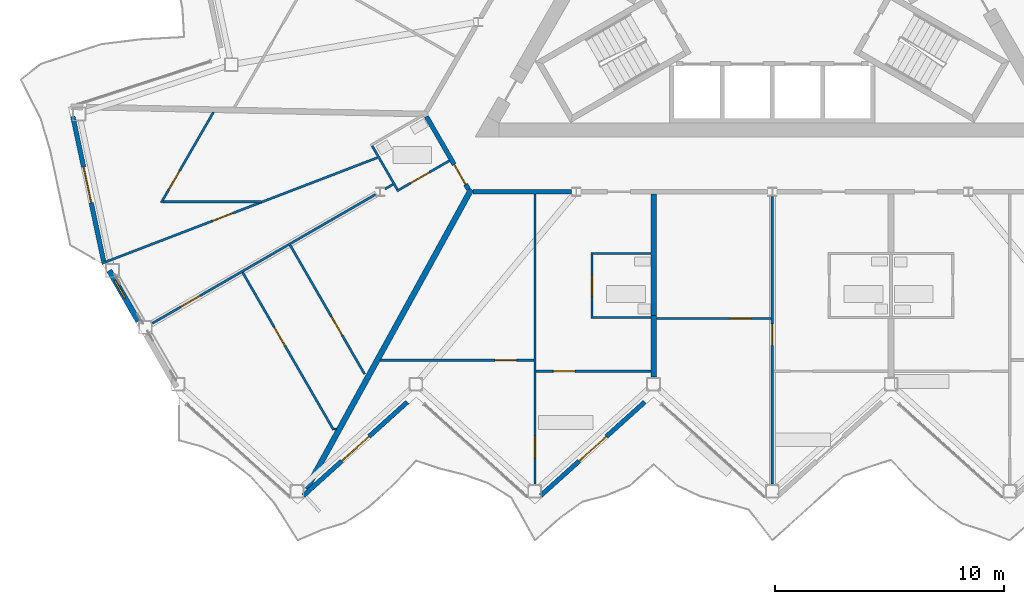
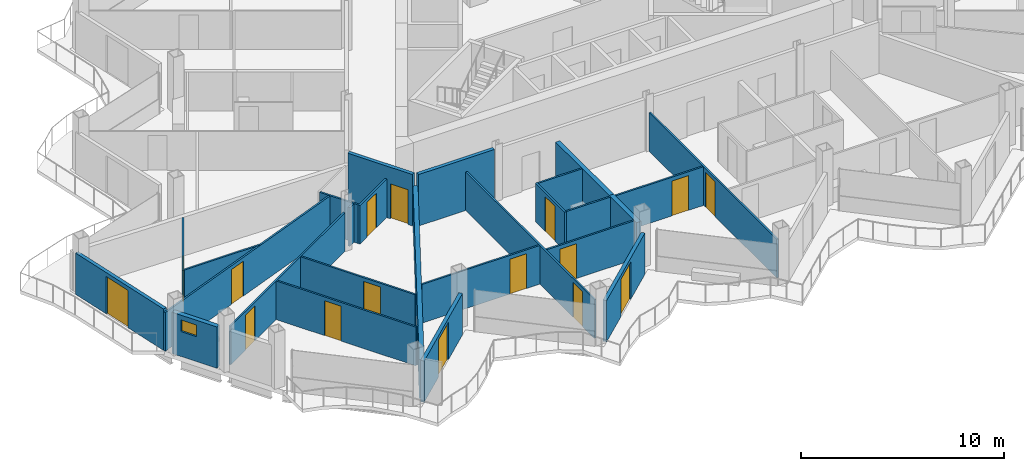
# One storey, part 13 of 27: 27 walls, 16 doors, 1 window, 17 openings.
"""IFC4 building model written with IfcOpenShell, lengths in metres."""

import ifcopenshell
import ifcopenshell.guid

model = None  # the IFC model being written
_history = None  # IfcOwnerHistory: only IFC2X3 demands one
_inside = {}  # id of a spatial element -> (the spatial element, [elements in it])
_under = {}  # id of a project, library or spatial element -> (it, [spatial elements below it])
_declared = {}  # id of a project -> (the project, [libraries it declares])
_typed = {}  # id of a type object -> (the type object, [elements of that type])
_made_of = {}  # id of a material, layer set ... -> (it, [elements and type objects made of it])


def new_model(schema):
    """Start an empty IFC model of exactly this schema.

    Asked for "IFC4X3", IfcOpenShell would pick the latest addendum, in which some entities
    have other attributes; the version numbers below select the first issue.
    IFC2X3 requires an IfcOwnerHistory on every rooted entity: one is made here for all.
    """
    global model, _history
    if schema == "IFC4X3":
        model = ifcopenshell.file(schema_version=(4, 3, 0, 0))
    else:
        model = ifcopenshell.file(schema=schema)
    _inside.clear()
    _under.clear()
    _declared.clear()
    _typed.clear()
    _made_of.clear()
    _history = None
    if model.schema == "IFC2X3":
        org = make("IfcOrganization", Name="unknown")
        user = make(
            "IfcPersonAndOrganization",
            ThePerson=make("IfcPerson", FamilyName="unknown"),
            TheOrganization=org,
        )
        app = make(
            "IfcApplication",
            ApplicationDeveloper=org,
            Version="unknown",
            ApplicationFullName="unknown",
            ApplicationIdentifier="unknown",
        )
        _history = make(
            "IfcOwnerHistory",
            OwningUser=user,
            OwningApplication=app,
            ChangeAction="ADDED",
            CreationDate=0,
        )
    return model


def make(cls, **values):
    """One entity of the class cls with the attributes given. An attribute that is None is left unset."""
    return model.create_entity(
        cls, **{name: value for name, value in values.items() if value is not None}
    )


def rooted(cls, **values):
    """An entity with a GlobalId (a new one), such as an element, a storey or a relation."""
    return make(cls, GlobalId=ifcopenshell.guid.new(), OwnerHistory=_history, **values)


def si_unit(unit_type, name, prefix=None):
    """IfcSIUnit, for example si_unit("LENGTHUNIT", "METRE", prefix="MILLI")."""
    return make("IfcSIUnit", UnitType=unit_type, Prefix=prefix, Name=name)


def assignment(units):
    """IfcUnitAssignment: the units of a project."""
    return None if units is None else make("IfcUnitAssignment", Units=units)


def point(xyz):
    """IfcCartesianPoint."""
    return None if xyz is None else make("IfcCartesianPoint", Coordinates=xyz)


def direction(xyz):
    """IfcDirection."""
    return None if xyz is None else make("IfcDirection", DirectionRatios=xyz)


def frame(location, z_axis=None, x_axis=None):
    """IfcAxis2Placement3D, a coordinate frame: its origin and axes. An axis left out is left unset."""
    return make(
        "IfcAxis2Placement3D",
        Location=point(location),
        Axis=direction(z_axis),
        RefDirection=direction(x_axis),
    )


def frame_2d(location, x_axis=None):
    """IfcAxis2Placement2D, a coordinate frame in the plane: its origin and x axis."""
    return make(
        "IfcAxis2Placement2D", Location=point(location), RefDirection=direction(x_axis)
    )


def origin():
    """The frame at (0, 0, 0) with its axes left unset."""
    return frame((0.0, 0.0, 0.0))


def place(relative_to, where):
    """IfcLocalPlacement: puts the frame where relative to a parent placement (None: the world)."""
    return make(
        "IfcLocalPlacement", PlacementRelTo=relative_to, RelativePlacement=where
    )


def context(
    kind, dimensions, precision=None, world=None, true_north=None, identifier=None
):
    """IfcGeometricRepresentationContext, for example the 3D "Model" context."""
    return make(
        "IfcGeometricRepresentationContext",
        ContextIdentifier=identifier,
        ContextType=kind,
        CoordinateSpaceDimension=dimensions,
        Precision=precision,
        WorldCoordinateSystem=world,
        TrueNorth=true_north,
    )


def subcontext(parent, identifier, kind, view, scale=None):
    """IfcGeometricRepresentationSubContext, for example "Body" below "Model"."""
    return make(
        "IfcGeometricRepresentationSubContext",
        ContextIdentifier=identifier,
        ContextType=kind,
        ParentContext=parent,
        TargetScale=scale,
        TargetView=view,
    )


def project(units=None, contexts=None):
    """IfcProject with its units and contexts."""
    return rooted(
        "IfcProject",
        Name="project",
        RepresentationContexts=contexts,
        UnitsInContext=assignment(units),
    )


def spatial(cls, under=None, at=None, **own):
    """A site, building, storey or space (cls), placed at a placement, below another one or the project."""
    s = rooted(cls, ObjectPlacement=at, **own)
    if under is not None:
        _under.setdefault(under.id(), (under, []))[1].append(s)
    return s


def profile(cls, at=None, kind="AREA", **sizes):
    """A parametric profile (cls). Its sizes go by their IFC names, for example OverallWidth=200.0."""
    return make(cls, ProfileType=kind, Position=at, **sizes)


def rectangle(**sizes):
    """IfcRectangleProfileDef."""
    return profile("IfcRectangleProfileDef", **sizes)


def extrude(swept, where, along, depth):
    """IfcExtrudedAreaSolid: the profile swept, set in the frame where, extruded along a direction by depth."""
    return make(
        "IfcExtrudedAreaSolid",
        SweptArea=swept,
        Position=where,
        ExtrudedDirection=direction(along),
        Depth=depth,
    )


def shape(context_of_items, identifier, shape_type, items):
    """IfcShapeRepresentation: the items that make up one representation, for example the "Body"."""
    return make(
        "IfcShapeRepresentation",
        ContextOfItems=context_of_items,
        RepresentationIdentifier=identifier,
        RepresentationType=shape_type,
        Items=items,
    )


def material(Name=None, Category=None):
    """IfcMaterial."""
    return make("IfcMaterial", Name=Name, Category=Category)


def layer(
    of_material, thickness, ventilated=None, Name=None, Category=None, Priority=None
):
    """IfcMaterialLayer: one layer of a wall or slab, of a material (None: an air gap)."""
    return make(
        "IfcMaterialLayer",
        Material=of_material,
        LayerThickness=thickness,
        IsVentilated=ventilated,
        Name=Name,
        Category=Category,
        Priority=Priority,
    )


def layer_set(layers, Name=None):
    """IfcMaterialLayerSet."""
    return make("IfcMaterialLayerSet", MaterialLayers=layers, LayerSetName=Name)


def made_of(thing, what):
    """Note that an element or type object is made of a material, layer set ...; save() writes the relation."""
    if what is not None:
        _made_of.setdefault(what.id(), (what, []))[1].append(thing)
    return thing


def type_object(cls, material=None, **own):
    """A type object (cls), such as IfcWallType, which elements share."""
    return made_of(rooted(cls, **own), material)


def element(
    cls,
    number,
    at=None,
    inside=None,
    cuts=None,
    type_object=None,
    material=None,
    context=None,
    identifier="Body",
    shape_type=None,
    held_by="IfcProductDefinitionShape",
    body=None,
    shapes=None,
    **own,
):
    """One element of the class cls, such as IfcWall. Its Tag is "e" and its number.

    at: its placement. inside: the storey or other place that contains it. cuts: it is an
    opening in that element (IfcRelVoidsElement). A single representation is given by context,
    identifier, shape_type and body (its items); several are given by shapes. held_by: the class
    of the entity that holds the representations. save() writes the other relations.
    """
    e = rooted(cls, Tag="e%d" % number, ObjectPlacement=at, **own)
    if body is not None:
        shapes = [shape(context, identifier, shape_type, body)]
    if shapes is not None:
        e.Representation = make(held_by, Representations=shapes)
    if inside is not None:
        _inside.setdefault(inside.id(), (inside, []))[1].append(e)
    if cuts is not None:
        rooted(
            "IfcRelVoidsElement", RelatingBuildingElement=cuts, RelatedOpeningElement=e
        )
    if type_object is not None:
        _typed.setdefault(type_object.id(), (type_object, []))[1].append(e)
    return made_of(e, material)


def fill(opening, filler):
    """IfcRelFillsElement: the door or window that sits in an opening."""
    return rooted(
        "IfcRelFillsElement",
        RelatingOpeningElement=opening,
        RelatedBuildingElement=filler,
    )


def aggregate(whole, parts):
    """IfcRelAggregates: a whole, such as a stair, and the parts it consists of."""
    return rooted("IfcRelAggregates", RelatingObject=whole, RelatedObjects=parts)


def save(model, path):
    """Write the relations noted so far, then the file.

    IfcRelAggregates (storeys below a building ...), IfcRelContainedInSpatialStructure (elements
    in a storey), IfcRelDefinesByType, IfcRelAssociatesMaterial and IfcRelDeclares: one each for
    every whole, place, type object, material and project.
    """
    for whole, parts in _under.values():
        aggregate(whole, parts)
    for where, things in _inside.values():
        rooted(
            "IfcRelContainedInSpatialStructure",
            RelatedElements=things,
            RelatingStructure=where,
        )
    for kind, things in _typed.values():
        rooted("IfcRelDefinesByType", RelatedObjects=things, RelatingType=kind)
    for what, things in _made_of.values():
        rooted("IfcRelAssociatesMaterial", RelatedObjects=things, RelatingMaterial=what)
    for by, libraries in _declared.values():
        rooted("IfcRelDeclares", RelatingContext=by, RelatedDefinitions=libraries)
    model.write(path)


model = new_model("IFC4")

# Units and contexts
model_context = context("Model", 3, precision=1e-05, world=origin(), true_north=direction((0.0, 1.0)))
body_context = subcontext(model_context, "Body", "Model", "MODEL_VIEW")
ifc_project = project(units=[si_unit("LENGTHUNIT", "METRE"), si_unit("AREAUNIT", "SQUARE_METRE"), si_unit("VOLUMEUNIT", "CUBIC_METRE"), si_unit("PLANEANGLEUNIT", "RADIAN"), si_unit("MASSUNIT", "GRAM", prefix="KILO")], contexts=[model_context])

# Site, building, storey
site_placement = place(None, origin())
site = spatial("IfcSite", under=ifc_project, at=site_placement, CompositionType="ELEMENT")
building_placement = place(site_placement, origin())
building = spatial("IfcBuilding", under=site, at=building_placement, Name="Cormorant Prow Tower", CompositionType="ELEMENT")
storey_placement = place(building_placement, frame((0.0, 0.0, 312.0)))
storey = spatial("IfcBuildingStorey", under=building, at=storey_placement, Name="L68", CompositionType="ELEMENT", Elevation=312.0)

# Wall
ifc_material_1 = material(Name="Gypsum board corridor wall")
ifc_layer_1 = layer(ifc_material_1, 0.199951171875)
ifc_layer_set_1 = layer_set([ifc_layer_1], Name="Gypsum board corridor wall")
wall_type_1 = type_object("IfcWallType", Name="Corridor wall 200", PredefinedType="PARTITIONING", material=ifc_layer_set_1)
wall_1_placement = place(storey_placement, frame((-13.10595703125, -9.905517578125, 0.0), z_axis=(0.0, 0.0, 1.0), x_axis=(1.0, 0.0, 0.0)))
element("IfcWall", 1, at=wall_1_placement, inside=storey, type_object=wall_type_1, Name="Corridor wall", PredefinedType="PARTITIONING", context=body_context, shape_type="SweptSolid", body=[
    extrude(rectangle(XDim=4.31982421875, YDim=0.199951171875, at=frame_2d((2.159912109375, 0.0))), origin(), (0.0, 0.0, 1.0), 3.10009765625),
])

# Wall, opening, door
wall_2_placement = place(storey_placement, frame((-15.13134765625, -6.61376953125, 0.0), z_axis=(0.0, 0.0, 1.0), x_axis=(0.499967746641, -0.866044024469, 0.0)))
wall_2 = element("IfcWall", 2, at=wall_2_placement, inside=storey, type_object=wall_type_1, Name="Corridor wall", PredefinedType="PARTITIONING", context=body_context, shape_type="SweptSolid", body=[
    extrude(rectangle(XDim=3.676025390625, YDim=0.199951171875, at=frame_2d((1.837890625, 0.0))), origin(), (0.0, 0.0, 1.0), 3.10009765625),
])
opening_1_placement = place(wall_2_placement, frame((2.426025390625, 0.0, 0.0)))
opening_1 = element("IfcOpeningElement", 3, at=opening_1_placement, cuts=wall_2, Name="Opening L68-F48", PredefinedType="OPENING", context=body_context, shape_type="SweptSolid", body=[
    extrude(rectangle(XDim=1.0, YDim=2.10009765625, at=frame_2d((0.5, 1.050048828125))), frame((0.0, 0.10986328125, 0.0), z_axis=(0.0, -1.0, 0.0), x_axis=(1.0, 0.0, 0.0)), (0.0, 0.0, 1.0), 0.219970703125),
])
ifc_material_2 = material(Name="Timber door leaf", Category="wood")
door_type_1 = type_object("IfcDoorType", Name="Flat or room entrance door 1000x2100", OperationType="NOTDEFINED", PredefinedType="DOOR", material=ifc_material_2)
door_1_placement = place(opening_1_placement, origin())
door_1 = element("IfcDoor", 4, at=door_1_placement, inside=storey, type_object=door_type_1, Name="Living room door", OperationType="SINGLE_SWING_RIGHT", OverallHeight=2.10009765625, OverallWidth=1.0, PredefinedType="DOOR", context=body_context, shape_type="SweptSolid", body=[
    extrude(rectangle(XDim=1.0, YDim=2.10009765625, at=frame_2d((0.5, 1.050048828125))), frame((0.0, 0.02490234375, 0.0), z_axis=(0.0, -1.0, 0.0), x_axis=(1.0, 0.0, 0.0)), (0.0, 0.0, 1.0), 0.050048828125),
])
fill(opening_1, door_1)

ifc_material_3 = material(Name="Gypsum board partition")
ifc_layer_2 = layer(ifc_material_3, 0.10009765625)
ifc_layer_set_2 = layer_set([ifc_layer_2], Name="Gypsum board partition")
wall_type_2 = type_object("IfcWallType", Name="Internal partition 100", PredefinedType="PARTITIONING", material=ifc_layer_set_2)
wall_3_placement = place(storey_placement, frame((-29.33837890625, -13.042236328125, 0.0), z_axis=(0.0, 0.0, 1.0), x_axis=(0.93358243931, 0.358362705944, 0.0)))
wall_3 = element("IfcWall", 5, at=wall_3_placement, inside=storey, type_object=wall_type_2, Name="Internal partition", PredefinedType="PARTITIONING", context=body_context, shape_type="SweptSolid", body=[
    extrude(rectangle(XDim=12.927734375, YDim=0.10009765625, at=frame_2d((6.4638671875, 0.0))), origin(), (0.0, 0.0, 1.0), 2.330078125),
])
opening_2_placement = place(wall_3_placement, frame((5.183349609375, 0.0, 0.0)))
opening_2 = element("IfcOpeningElement", 6, at=opening_2_placement, cuts=wall_3, Name="Opening L68-F53", PredefinedType="OPENING", context=body_context, shape_type="SweptSolid", body=[
    extrude(rectangle(XDim=0.949951171875, YDim=2.10009765625, at=frame_2d((0.47509765625, 1.050048828125))), frame((0.0, 0.06005859375, 0.0), z_axis=(0.0, -1.0, 0.0), x_axis=(1.0, 0.0, 0.0)), (0.0, 0.0, 1.0), 0.1201171875),
])
ifc_material_4 = material(Name="Timber door leaf", Category="wood")
door_type_2 = type_object("IfcDoorType", Name="Bathroom door 950x2100", OperationType="NOTDEFINED", PredefinedType="DOOR", material=ifc_material_4)
door_2_placement = place(opening_2_placement, origin())
door_2 = element("IfcDoor", 7, at=door_2_placement, inside=storey, type_object=door_type_2, Name="Bedroom door", OperationType="SINGLE_SWING_LEFT", OverallHeight=2.10009765625, OverallWidth=0.949951171875, PredefinedType="DOOR", context=body_context, shape_type="SweptSolid", body=[
    extrude(rectangle(XDim=0.949951171875, YDim=2.10009765625, at=frame_2d((0.47509765625, 1.050048828125))), frame((0.0, 0.02490234375, 0.0), z_axis=(0.0, -1.0, 0.0), x_axis=(1.0, 0.0, 0.0)), (0.0, 0.0, 1.0), 0.050048828125),
])
fill(opening_2, door_2)

wall_4_placement = place(storey_placement, frame((-10.385498046875, -22.697998046875, 0.0), z_axis=(0.0, 0.0, 1.0), x_axis=(0.0, 1.0, 0.0)))
wall_4 = element("IfcWall", 8, at=wall_4_placement, inside=storey, type_object=wall_type_2, Name="Internal partition", PredefinedType="PARTITIONING", context=body_context, shape_type="SweptSolid", body=[
    extrude(rectangle(XDim=12.6923828125, YDim=0.10009765625, at=frame_2d((6.34619140625, 0.0))), origin(), (0.0, 0.0, 1.0), 2.330078125),
])
opening_3_placement = place(wall_4_placement, frame((1.1533203125, 0.0, 0.0)))
opening_3 = element("IfcOpeningElement", 9, at=opening_3_placement, cuts=wall_4, Name="Opening L68-F04", PredefinedType="OPENING", context=body_context, shape_type="SweptSolid", body=[
    extrude(rectangle(XDim=0.949951171875, YDim=2.10009765625, at=frame_2d((0.47509765625, 1.050048828125))), frame((0.0, 0.06005859375, 0.0), z_axis=(0.0, -1.0, 0.0), x_axis=(1.0, 0.0, 0.0)), (0.0, 0.0, 1.0), 0.1201171875),
])
door_3_placement = place(opening_3_placement, origin())
door_3 = element("IfcDoor", 10, at=door_3_placement, inside=storey, type_object=door_type_2, Name="Kitchen door", OperationType="SINGLE_SWING_LEFT", OverallHeight=2.10009765625, OverallWidth=0.949951171875, PredefinedType="DOOR", context=body_context, shape_type="SweptSolid", body=[
    extrude(rectangle(XDim=0.949951171875, YDim=2.10009765625, at=frame_2d((0.47509765625, 1.050048828125))), frame((0.0, 0.02490234375, 0.0), z_axis=(0.0, -1.0, 0.0), x_axis=(1.0, 0.0, 0.0)), (0.0, 0.0, 1.0), 0.050048828125),
])
fill(opening_3, door_3)

wall_5_placement = place(storey_placement, frame((0.0, -22.697998046875, 0.0), z_axis=(0.0, 0.0, 1.0), x_axis=(0.0, 1.0, 0.0)))
wall_5 = element("IfcWall", 11, at=wall_5_placement, inside=storey, type_object=wall_type_2, Name="Internal partition", PredefinedType="PARTITIONING", context=body_context, shape_type="SweptSolid", body=[
    extrude(rectangle(XDim=12.584716796875, YDim=0.10009765625, at=frame_2d((6.29248046875, 0.0))), origin(), (0.0, 0.0, 1.0), 2.330078125),
])
opening_4_placement = place(wall_5_placement, frame((6.068115234375, 0.0, 0.0)))
opening_4 = element("IfcOpeningElement", 12, at=opening_4_placement, cuts=wall_5, Name="Opening L68-F09", PredefinedType="OPENING", context=body_context, shape_type="SweptSolid", body=[
    extrude(rectangle(XDim=0.949951171875, YDim=2.10009765625, at=frame_2d((0.47509765625, 1.050048828125))), frame((0.0, 0.06005859375, 0.0), z_axis=(0.0, -1.0, 0.0), x_axis=(1.0, 0.0, 0.0)), (0.0, 0.0, 1.0), 0.1201171875),
])
door_4_placement = place(opening_4_placement, origin())
door_4 = element("IfcDoor", 13, at=door_4_placement, inside=storey, type_object=door_type_2, Name="Living room door", OperationType="SINGLE_SWING_RIGHT", OverallHeight=2.10009765625, OverallWidth=0.949951171875, PredefinedType="DOOR", context=body_context, shape_type="SweptSolid", body=[
    extrude(rectangle(XDim=0.949951171875, YDim=2.10009765625, at=frame_2d((0.47509765625, 1.050048828125))), frame((0.0, 0.02490234375, 0.0), z_axis=(0.0, -1.0, 0.0), x_axis=(1.0, 0.0, 0.0)), (0.0, 0.0, 1.0), 0.050048828125),
])
fill(opening_4, door_4)

wall_6_placement = place(storey_placement, frame((-27.122314453125, -15.6591796875, 0.0), z_axis=(0.0, 0.0, 1.0), x_axis=(0.866021046153, 0.500007547564, 0.0)))
wall_6 = element("IfcWall", 14, at=wall_6_placement, inside=storey, type_object=wall_type_2, Name="Internal partition", PredefinedType="PARTITIONING", context=body_context, shape_type="SweptSolid", body=[
    extrude(rectangle(XDim=11.267333984375, YDim=0.10009765625, at=frame_2d((5.6337890625, 0.0))), origin(), (0.0, 0.0, 1.0), 2.330078125),
])
opening_5_placement = place(wall_6_placement, frame((1.4521484375, 0.0, 0.0)))
opening_5 = element("IfcOpeningElement", 15, at=opening_5_placement, cuts=wall_6, Name="Opening L68-F52", PredefinedType="OPENING", context=body_context, shape_type="SweptSolid", body=[
    extrude(rectangle(XDim=0.949951171875, YDim=2.10009765625, at=frame_2d((0.47509765625, 1.050048828125))), frame((0.0, 0.06005859375, 0.0), z_axis=(0.0, -1.0, 0.0), x_axis=(1.0, 0.0, 0.0)), (0.0, 0.0, 1.0), 0.1201171875),
])
door_5_placement = place(opening_5_placement, origin())
door_5 = element("IfcDoor", 16, at=door_5_placement, inside=storey, type_object=door_type_2, Name="Dining room door", OperationType="SINGLE_SWING_LEFT", OverallHeight=2.10009765625, OverallWidth=0.949951171875, PredefinedType="DOOR", context=body_context, shape_type="SweptSolid", body=[
    extrude(rectangle(XDim=0.949951171875, YDim=2.10009765625, at=frame_2d((0.47509765625, 1.050048828125))), frame((0.0, 0.02490234375, 0.0), z_axis=(0.0, -1.0, 0.0), x_axis=(1.0, 0.0, 0.0)), (0.0, 0.0, 1.0), 0.050048828125),
])
fill(opening_5, door_5)

wall_7_placement = place(storey_placement, frame((-23.173095703125, -13.436767578125, 0.0), z_axis=(0.0, 0.0, 1.0), x_axis=(0.500018284498, -0.866014846967, 0.0)))
wall_7 = element("IfcWall", 17, at=wall_7_placement, inside=storey, type_object=wall_type_2, Name="Internal partition", PredefinedType="PARTITIONING", context=body_context, shape_type="SweptSolid", body=[
    extrude(rectangle(XDim=7.953369140625, YDim=0.10009765625, at=frame_2d((3.9765625, 0.0))), origin(), (0.0, 0.0, 1.0), 2.330078125),
])
opening_6_placement = place(wall_7_placement, frame((2.751220703125, 0.0, 0.0)))
opening_6 = element("IfcOpeningElement", 18, at=opening_6_placement, cuts=wall_7, Name="Opening L68-F51", PredefinedType="OPENING", context=body_context, shape_type="SweptSolid", body=[
    extrude(rectangle(XDim=0.949951171875, YDim=2.10009765625, at=frame_2d((0.47509765625, 1.050048828125))), frame((0.0, 0.06005859375, 0.0), z_axis=(0.0, -1.0, 0.0), x_axis=(1.0, 0.0, 0.0)), (0.0, 0.0, 1.0), 0.1201171875),
])
door_6_placement = place(opening_6_placement, origin())
door_6 = element("IfcDoor", 19, at=door_6_placement, inside=storey, type_object=door_type_2, Name="Kitchen door", OperationType="SINGLE_SWING_LEFT", OverallHeight=2.10009765625, OverallWidth=0.949951171875, PredefinedType="DOOR", context=body_context, shape_type="SweptSolid", body=[
    extrude(rectangle(XDim=0.949951171875, YDim=2.10009765625, at=frame_2d((0.47509765625, 1.050048828125))), frame((0.0, 0.02490234375, 0.0), z_axis=(0.0, -1.0, 0.0), x_axis=(1.0, 0.0, 0.0)), (0.0, 0.0, 1.0), 0.050048828125),
])
fill(opening_6, door_6)

wall_8_placement = place(storey_placement, frame((-17.157958984375, -17.27099609375, 0.0), z_axis=(0.0, 0.0, 1.0), x_axis=(1.0, 0.0, 0.0)))
wall_8 = element("IfcWall", 20, at=wall_8_placement, inside=storey, type_object=wall_type_2, Name="Internal partition", PredefinedType="PARTITIONING", context=body_context, shape_type="SweptSolid", body=[
    extrude(rectangle(XDim=6.722412109375, YDim=0.10009765625, at=frame_2d((3.361328125, 0.0))), origin(), (0.0, 0.0, 1.0), 2.330078125),
])
opening_7_placement = place(wall_8_placement, frame((5.015380859375, 0.0, 0.0)))
opening_7 = element("IfcOpeningElement", 21, at=opening_7_placement, cuts=wall_8, Name="Opening L68-F05", PredefinedType="OPENING", context=body_context, shape_type="SweptSolid", body=[
    extrude(rectangle(XDim=0.949951171875, YDim=2.10009765625, at=frame_2d((0.47509765625, 1.050048828125))), frame((0.0, 0.06005859375, 0.0), z_axis=(0.0, -1.0, 0.0), x_axis=(1.0, 0.0, 0.0)), (0.0, 0.0, 1.0), 0.1201171875),
])
door_7_placement = place(opening_7_placement, origin())
door_7 = element("IfcDoor", 22, at=door_7_placement, inside=storey, type_object=door_type_2, Name="Bedroom door", OperationType="SINGLE_SWING_RIGHT", OverallHeight=2.10009765625, OverallWidth=0.949951171875, PredefinedType="DOOR", context=body_context, shape_type="SweptSolid", body=[
    extrude(rectangle(XDim=0.949951171875, YDim=2.10009765625, at=frame_2d((0.47509765625, 1.050048828125))), frame((0.0, 0.02490234375, 0.0), z_axis=(0.0, -1.0, 0.0), x_axis=(1.0, 0.0, 0.0)), (0.0, 0.0, 1.0), 0.050048828125),
])
fill(opening_7, door_7)

wall_9_placement = place(storey_placement, frame((-21.09765625, -12.238525390625, 0.0), z_axis=(0.0, 0.0, 1.0), x_axis=(0.499973122483, -0.86604092097, 0.0)))
wall_9 = element("IfcWall", 23, at=wall_9_placement, inside=storey, type_object=wall_type_2, Name="Internal partition", PredefinedType="PARTITIONING", context=body_context, shape_type="SweptSolid", body=[
    extrude(rectangle(XDim=6.519775390625, YDim=0.10009765625, at=frame_2d((3.259765625, 0.0))), origin(), (0.0, 0.0, 1.0), 2.330078125),
])
opening_8_placement = place(wall_9_placement, frame((3.59619140625, 0.0, 0.0)))
opening_8 = element("IfcOpeningElement", 24, at=opening_8_placement, cuts=wall_9, Name="Opening L68-F50", PredefinedType="OPENING", context=body_context, shape_type="SweptSolid", body=[
    extrude(rectangle(XDim=0.949951171875, YDim=2.10009765625, at=frame_2d((0.47509765625, 1.050048828125))), frame((0.0, 0.06005859375, 0.0), z_axis=(0.0, -1.0, 0.0), x_axis=(1.0, 0.0, 0.0)), (0.0, 0.0, 1.0), 0.1201171875),
])
door_8_placement = place(opening_8_placement, origin())
door_8 = element("IfcDoor", 25, at=door_8_placement, inside=storey, type_object=door_type_2, Name="Living room door", OperationType="SINGLE_SWING_LEFT", OverallHeight=2.10009765625, OverallWidth=0.949951171875, PredefinedType="DOOR", context=body_context, shape_type="SweptSolid", body=[
    extrude(rectangle(XDim=0.949951171875, YDim=2.10009765625, at=frame_2d((0.47509765625, 1.050048828125))), frame((0.0, 0.02490234375, 0.0), z_axis=(0.0, -1.0, 0.0), x_axis=(1.0, 0.0, 0.0)), (0.0, 0.0, 1.0), 0.050048828125),
])
fill(opening_8, door_8)

wall_10_placement = place(storey_placement, frame((-10.335693359375, -17.758056640625, 0.0), z_axis=(0.0, 0.0, 1.0), x_axis=(1.0, 0.0, 0.0)))
wall_10 = element("IfcWall", 26, at=wall_10_placement, inside=storey, type_object=wall_type_2, Name="Internal partition", PredefinedType="PARTITIONING", context=body_context, shape_type="SweptSolid", body=[
    extrude(rectangle(XDim=5.017822265625, YDim=0.10009765625, at=frame_2d((2.5087890625, 0.0))), origin(), (0.0, 0.0, 1.0), 2.330078125),
])
opening_9_placement = place(wall_10_placement, frame((0.759765625, 0.0, 0.0)))
opening_9 = element("IfcOpeningElement", 27, at=opening_9_placement, cuts=wall_10, Name="Opening L68-F03", PredefinedType="OPENING", context=body_context, shape_type="SweptSolid", body=[
    extrude(rectangle(XDim=0.949951171875, YDim=2.10009765625, at=frame_2d((0.47509765625, 1.050048828125))), frame((0.0, 0.06005859375, 0.0), z_axis=(0.0, -1.0, 0.0), x_axis=(1.0, 0.0, 0.0)), (0.0, 0.0, 1.0), 0.1201171875),
])
door_9_placement = place(opening_9_placement, origin())
door_9 = element("IfcDoor", 28, at=door_9_placement, inside=storey, type_object=door_type_2, Name="Living room door", OperationType="SINGLE_SWING_LEFT", OverallHeight=2.10009765625, OverallWidth=0.949951171875, PredefinedType="DOOR", context=body_context, shape_type="SweptSolid", body=[
    extrude(rectangle(XDim=0.949951171875, YDim=2.10009765625, at=frame_2d((0.47509765625, 1.050048828125))), frame((0.0, 0.02490234375, 0.0), z_axis=(0.0, -1.0, 0.0), x_axis=(1.0, 0.0, 0.0)), (0.0, 0.0, 1.0), 0.050048828125),
])
fill(opening_9, door_9)

wall_11_placement = place(storey_placement, frame((-5.06787109375, -15.447265625, 0.0), z_axis=(0.0, 0.0, 1.0), x_axis=(1.0, 0.0, 0.0)))
wall_11 = element("IfcWall", 29, at=wall_11_placement, inside=storey, type_object=wall_type_2, Name="Internal partition", PredefinedType="PARTITIONING", context=body_context, shape_type="SweptSolid", body=[
    extrude(rectangle(XDim=5.017822265625, YDim=0.10009765625, at=frame_2d((2.5087890625, 0.0))), origin(), (0.0, 0.0, 1.0), 2.330078125),
])
opening_10_placement = place(wall_11_placement, frame((3.206298828125, 0.0, 0.0)))
opening_10 = element("IfcOpeningElement", 30, at=opening_10_placement, cuts=wall_11, Name="Opening L68-F10", PredefinedType="OPENING", context=body_context, shape_type="SweptSolid", body=[
    extrude(rectangle(XDim=0.949951171875, YDim=2.10009765625, at=frame_2d((0.47509765625, 1.050048828125))), frame((0.0, 0.06005859375, 0.0), z_axis=(0.0, -1.0, 0.0), x_axis=(1.0, 0.0, 0.0)), (0.0, 0.0, 1.0), 0.1201171875),
])
door_10_placement = place(opening_10_placement, origin())
door_10 = element("IfcDoor", 31, at=door_10_placement, inside=storey, type_object=door_type_2, Name="Bedroom door", OperationType="SINGLE_SWING_RIGHT", OverallHeight=2.10009765625, OverallWidth=0.949951171875, PredefinedType="DOOR", context=body_context, shape_type="SweptSolid", body=[
    extrude(rectangle(XDim=0.949951171875, YDim=2.10009765625, at=frame_2d((0.47509765625, 1.050048828125))), frame((0.0, 0.02490234375, 0.0), z_axis=(0.0, -1.0, 0.0), x_axis=(1.0, 0.0, 0.0)), (0.0, 0.0, 1.0), 0.050048828125),
])
fill(opening_10, door_10)

wall_12_placement = place(storey_placement, frame((-26.735595703125, -10.3798828125, 0.0), z_axis=(0.0, 0.0, 1.0), x_axis=(0.500024700597, 0.866011142419, 0.0)))
wall_12 = element("IfcWall", 32, at=wall_12_placement, inside=storey, type_object=wall_type_2, Name="Internal partition", PredefinedType="PARTITIONING", context=body_context, shape_type="SweptSolid", body=[
    extrude(rectangle(XDim=4.568115234375, YDim=0.10009765625, at=frame_2d((2.2841796875, 0.0))), origin(), (0.0, 0.0, 1.0), 2.330078125),
])
opening_11_placement = place(wall_12_placement, frame((0.65234375, 0.0, 0.0)))
opening_11 = element("IfcOpeningElement", 33, at=opening_11_placement, cuts=wall_12, Name="Opening L68-F54", PredefinedType="OPENING", context=body_context, shape_type="SweptSolid", body=[
    extrude(rectangle(XDim=0.949951171875, YDim=2.10009765625, at=frame_2d((0.47509765625, 1.050048828125))), frame((0.0, 0.06005859375, 0.0), z_axis=(0.0, -1.0, 0.0), x_axis=(1.0, 0.0, 0.0)), (0.0, 0.0, 1.0), 0.1201171875),
])
door_11_placement = place(opening_11_placement, origin())
door_11 = element("IfcDoor", 34, at=door_11_placement, inside=storey, type_object=door_type_2, Name="Bedroom door", OperationType="SINGLE_SWING_LEFT", OverallHeight=2.10009765625, OverallWidth=0.949951171875, PredefinedType="DOOR", context=body_context, shape_type="SweptSolid", body=[
    extrude(rectangle(XDim=0.949951171875, YDim=2.10009765625, at=frame_2d((0.47509765625, 1.050048828125))), frame((0.0, 0.02490234375, 0.0), z_axis=(0.0, -1.0, 0.0), x_axis=(1.0, 0.0, 0.0)), (0.0, 0.0, 1.0), 0.050048828125),
])
fill(opening_11, door_11)

# Wall
wall_13_placement = place(storey_placement, frame((-26.660400390625, -10.336669921875, 0.0), z_axis=(0.0, 0.0, 1.0), x_axis=(1.0, 0.0, 0.0)))
element("IfcWall", 35, at=wall_13_placement, inside=storey, type_object=wall_type_2, Name="Internal partition", PredefinedType="PARTITIONING", context=body_context, shape_type="SweptSolid", body=[
    extrude(rectangle(XDim=4.300537109375, YDim=0.10009765625, at=frame_2d((2.150390625, 0.0))), origin(), (0.0, 0.0, 1.0), 2.330078125),
])

# Wall, opening, door
wall_14_placement = place(storey_placement, frame((-7.892822265625, -15.45556640625, 0.0), z_axis=(0.0, 0.0, 1.0), x_axis=(0.0, 1.0, 0.0)))
wall_14 = element("IfcWall", 36, at=wall_14_placement, inside=storey, type_object=wall_type_2, Name="Internal partition", PredefinedType="PARTITIONING", context=body_context, shape_type="SweptSolid", body=[
    extrude(rectangle(XDim=2.89990234375, YDim=0.10009765625, at=frame_2d((1.449951171875, 0.0))), origin(), (0.0, 0.0, 1.0), 2.330078125),
])
opening_12_placement = place(wall_14_placement, frame((0.97509765625, 0.0, 0.0)))
opening_12 = element("IfcOpeningElement", 37, at=opening_12_placement, cuts=wall_14, Name="Opening L68-F02", PredefinedType="OPENING", context=body_context, shape_type="SweptSolid", body=[
    extrude(rectangle(XDim=0.949951171875, YDim=2.10009765625, at=frame_2d((0.47509765625, 1.050048828125))), frame((0.0, 0.06005859375, 0.0), z_axis=(0.0, -1.0, 0.0), x_axis=(1.0, 0.0, 0.0)), (0.0, 0.0, 1.0), 0.1201171875),
])
door_12_placement = place(opening_12_placement, origin())
door_12 = element("IfcDoor", 38, at=door_12_placement, inside=storey, type_object=door_type_2, Name="Living room door", OperationType="SINGLE_SWING_RIGHT", OverallHeight=2.10009765625, OverallWidth=0.949951171875, PredefinedType="DOOR", context=body_context, shape_type="SweptSolid", body=[
    extrude(rectangle(XDim=0.949951171875, YDim=2.10009765625, at=frame_2d((0.47509765625, 1.050048828125))), frame((0.0, 0.02490234375, 0.0), z_axis=(0.0, -1.0, 0.0), x_axis=(1.0, 0.0, 0.0)), (0.0, 0.0, 1.0), 0.050048828125),
])
fill(opening_12, door_12)

# Walls
for number, where, z_axis, x_axis, name in (
    (39, (-7.8427734375, -12.605712890625, 0.0), (0.0, 0.0, 1.0), (1.0, 0.0, 0.0), "Internal partition"),
    (40, (-7.8427734375, -15.405517578125, 0.0), (0.0, 0.0, 1.0), (1.0, 0.0, 0.0), "Internal partition"),
):
    element("IfcWall", number, at=place(storey_placement, frame(where, z_axis=z_axis, x_axis=x_axis)), inside=storey, type_object=wall_type_2, Name=name, PredefinedType="PARTITIONING", context=body_context, shape_type="SweptSolid", body=[
        extrude(rectangle(XDim=2.52490234375, YDim=0.10009765625, at=frame_2d((1.262451171875, 0.0))), origin(), (0.0, 0.0, 1.0), 2.330078125),
    ])

# Wall, opening, door
wall_15_placement = place(storey_placement, frame((-16.425537109375, -9.872314453125, 0.0), z_axis=(0.0, 0.0, 1.0), x_axis=(0.866029095148, 0.499993606316, 0.0)))
wall_15 = element("IfcWall", 41, at=wall_15_placement, inside=storey, type_object=wall_type_2, Name="Internal partition", PredefinedType="PARTITIONING", context=body_context, shape_type="SweptSolid", body=[
    extrude(rectangle(XDim=2.64990234375, YDim=0.10009765625, at=frame_2d((1.324951171875, 0.0))), origin(), (0.0, 0.0, 1.0), 2.330078125),
])
opening_13_placement = place(wall_15_placement, frame((0.686279296875, 0.0, 0.0)))
opening_13 = element("IfcOpeningElement", 42, at=opening_13_placement, cuts=wall_15, Name="Opening L68-F49", PredefinedType="OPENING", context=body_context, shape_type="SweptSolid", body=[
    extrude(rectangle(XDim=0.949951171875, YDim=2.10009765625, at=frame_2d((0.47509765625, 1.050048828125))), frame((0.0, 0.06005859375, 0.0), z_axis=(0.0, -1.0, 0.0), x_axis=(1.0, 0.0, 0.0)), (0.0, 0.0, 1.0), 0.1201171875),
])
door_13_placement = place(opening_13_placement, origin())
door_13 = element("IfcDoor", 43, at=door_13_placement, inside=storey, type_object=door_type_2, Name="Living room door", OperationType="SINGLE_SWING_LEFT", OverallHeight=2.10009765625, OverallWidth=0.949951171875, PredefinedType="DOOR", context=body_context, shape_type="SweptSolid", body=[
    extrude(rectangle(XDim=0.949951171875, YDim=2.10009765625, at=frame_2d((0.47509765625, 1.050048828125))), frame((0.0, 0.02490234375, 0.0), z_axis=(0.0, -1.0, 0.0), x_axis=(1.0, 0.0, 0.0)), (0.0, 0.0, 1.0), 0.050048828125),
])
fill(opening_13, door_13)

# Walls
wall_16_placement = place(storey_placement, frame((-17.507080078125, -7.89892578125, 0.0), z_axis=(0.0, 0.0, 1.0), x_axis=(0.499946605688, -0.86605622881, 0.0)))
element("IfcWall", 44, at=wall_16_placement, inside=storey, type_object=wall_type_2, Name="Internal partition", PredefinedType="PARTITIONING", context=body_context, shape_type="SweptSolid", body=[
    extrude(rectangle(XDim=2.199951171875, YDim=0.10009765625, at=frame_2d((1.10009765625, 0.0))), origin(), (0.0, 0.0, 1.0), 2.330078125),
])
wall_17_placement = place(storey_placement, frame((-16.94921875, -9.78564453125, 0.0), z_axis=(0.0, 0.0, 1.0), x_axis=(0.866036909293, 0.499980071345, 0.0)))
element("IfcWall", 45, at=wall_17_placement, inside=storey, type_object=wall_type_2, Name="Internal partition", PredefinedType="PARTITIONING", context=body_context, shape_type="SweptSolid", body=[
    extrude(rectangle(XDim=0.41015625, YDim=0.10009765625, at=frame_2d((0.205078125, 0.0))), origin(), (0.0, 0.0, 1.0), 2.330078125),
])
wall_18_placement = place(storey_placement, frame((-19.17138671875, -20.28125, 0.0), z_axis=(0.0, 0.0, 1.0), x_axis=(1.0, 0.0, 0.0)))
element("IfcWall", 46, at=wall_18_placement, inside=storey, type_object=wall_type_2, Name="Internal partition", PredefinedType="PARTITIONING", context=body_context, shape_type="SweptSolid", body=[
    extrude(rectangle(XDim=0.107666015625, YDim=0.10009765625, at=frame_2d((0.0537109375, 0.0))), origin(), (0.0, 0.0, 1.0), 2.330078125),
])
ifc_material_5 = material(Name="Acoustic gypsum party wall")
ifc_layer_3 = layer(ifc_material_5, 0.25)
ifc_layer_set_3 = layer_set([ifc_layer_3], Name="Acoustic gypsum party wall")
wall_type_3 = type_object("IfcWallType", Name="Suite party wall 250", PredefinedType="PARTITIONING", material=ifc_layer_set_3)
wall_19_placement = place(storey_placement, frame((-20.38134765625, -22.903564453125, 0.0), z_axis=(0.0, 0.0, 1.0), x_axis=(0.481994550341, 0.876174214093, 0.0)))
element("IfcWall", 47, at=wall_19_placement, inside=storey, type_object=wall_type_3, Name="Suite party wall", PredefinedType="PARTITIONING", context=body_context, shape_type="SweptSolid", body=[
    extrude(rectangle(XDim=14.960205078125, YDim=0.25, at=frame_2d((7.47998046875, 0.0))), origin(), (0.0, 0.0, 1.0), 2.330078125),
])
wall_20_placement = place(storey_placement, frame((-5.19287109375, -15.530517578125, 0.0), z_axis=(0.0, 0.0, 1.0), x_axis=(0.0, 1.0, 0.0)))
element("IfcWall", 48, at=wall_20_placement, inside=storey, type_object=wall_type_3, Name="Suite party wall", PredefinedType="PARTITIONING", context=body_context, shape_type="SweptSolid", body=[
    extrude(rectangle(XDim=5.52490234375, YDim=0.25, at=frame_2d((2.762451171875, 0.0))), origin(), (0.0, 0.0, 1.0), 2.330078125),
])
wall_21_placement = place(storey_placement, frame((-5.19287109375, -18.016845703125, 0.0), z_axis=(0.0, 0.0, 1.0), x_axis=(0.0, 1.0, 0.0)))
element("IfcWall", 49, at=wall_21_placement, inside=storey, type_object=wall_type_3, Name="Suite party wall", PredefinedType="PARTITIONING", context=body_context, shape_type="SweptSolid", body=[
    extrude(rectangle(XDim=2.70458984375, YDim=0.25, at=frame_2d((1.352294921875, 0.0))), origin(), (0.0, 0.0, 1.0), 2.330078125),
])

# Wall, opening, window
ifc_material_6 = material(Name="Terracotta", Category="masonry")
ifc_layer_4 = layer(ifc_material_6, 0.25)
ifc_layer_set_4 = layer_set([ifc_layer_4], Name="Terracotta")
wall_type_4 = type_object("IfcWallType", Name="Terracotta bay wall 250", PredefinedType="SOLIDWALL", material=ifc_layer_set_4)
wall_22_placement = place(storey_placement, frame((-29.012939453125, -13.355712890625, 0.0), z_axis=(0.0, 0.0, 1.0), x_axis=(0.500012659481, -0.866018094706, 0.0)))
wall_22 = element("IfcWall", 50, at=wall_22_placement, inside=storey, type_object=wall_type_4, Name="Terracotta bay wall WSW00", PredefinedType="SOLIDWALL", context=body_context, shape_type="SweptSolid", body=[
    extrude(rectangle(XDim=2.548828125, YDim=0.25, at=frame_2d((1.2744140625, 0.0))), origin(), (0.0, 0.0, 1.0), 2.48779296875),
])
opening_14_placement = place(wall_22_placement, frame((0.5, 0.0, 1.5)))
opening_14 = element("IfcOpeningElement", 51, at=opening_14_placement, cuts=wall_22, Name="Opening WN8", PredefinedType="OPENING", context=body_context, shape_type="SweptSolid", body=[
    extrude(rectangle(XDim=0.89990234375, YDim=0.699951171875, at=frame_2d((0.449951171875, 0.35009765625))), frame((0.0, 0.135009765625, 0.0), z_axis=(0.0, -1.0, 0.0), x_axis=(1.0, 0.0, 0.0)), (0.0, 0.0, 1.0), 0.27001953125),
])
ifc_material_7 = material(Name="Aluminium 6063-T6", Category="aluminium")
window_type = type_object("IfcWindowType", Name="Corner bay window 900x700", PartitioningType="SINGLE_PANEL", PredefinedType="WINDOW", material=ifc_material_7)
window_placement = place(opening_14_placement, origin())
window = element("IfcWindow", 52, at=window_placement, inside=storey, type_object=window_type, Name="Corner bay window WSW00", OverallHeight=0.699951171875, OverallWidth=0.89990234375, PartitioningType="SINGLE_PANEL", PredefinedType="WINDOW", context=body_context, shape_type="SweptSolid", body=[
    extrude(rectangle(XDim=0.89990234375, YDim=0.699951171875, at=frame_2d((0.449951171875, 0.35009765625))), frame((0.0, 0.030029296875, 0.0), z_axis=(0.0, -1.0, 0.0), x_axis=(1.0, 0.0, 0.0)), (0.0, 0.0, 1.0), 0.06005859375),
])
fill(opening_14, window)

# Wall, opening, door
ifc_material_8 = material(Name="Terracotta", Category="masonry")
ifc_layer_5 = layer(ifc_material_8, 0.199951171875)
ifc_layer_set_5 = layer_set([ifc_layer_5], Name="Terracotta")
wall_type_5 = type_object("IfcWallType", Name="Terracotta jamb wall 200", PredefinedType="SOLIDWALL", material=ifc_layer_set_5)
wall_23_placement = place(storey_placement, frame((-20.515625, -23.197509765625, 0.0), z_axis=(0.0, 0.0, 1.0), x_axis=(0.743121537674, 0.66915646918, 0.0)))
wall_23 = element("IfcWall", 53, at=wall_23_placement, inside=storey, type_object=wall_type_5, Name="Terracotta jamb wall S01", PredefinedType="SOLIDWALL", context=body_context, shape_type="SweptSolid", body=[
    extrude(rectangle(XDim=6.11962890625, YDim=0.199951171875, at=frame_2d((3.059814453125, 0.0))), origin(), (0.0, 0.0, 1.0), 2.48779296875),
])
opening_15_placement = place(wall_23_placement, frame((2.259765625, 0.0, 0.0)))
opening_15 = element("IfcOpeningElement", 54, at=opening_15_placement, cuts=wall_23, Name="Opening ED68.01", PredefinedType="OPENING", context=body_context, shape_type="SweptSolid", body=[
    extrude(rectangle(XDim=1.60009765625, YDim=2.25, at=frame_2d((0.800048828125, 1.125))), frame((0.0, 0.10986328125, 0.0), z_axis=(0.0, -1.0, 0.0), x_axis=(1.0, 0.0, 0.0)), (0.0, 0.0, 1.0), 0.219970703125),
])
ifc_material_9 = material(Name="Aluminium 6063-T6", Category="aluminium")
door_type_3 = type_object("IfcDoorType", Name="Balcony door 1600x2250", OperationType="DOUBLE_DOOR_SINGLE_SWING", PredefinedType="DOOR", material=ifc_material_9)
door_14_placement = place(opening_15_placement, origin())
door_14 = element("IfcDoor", 55, at=door_14_placement, inside=storey, type_object=door_type_3, Name="Balcony door S01 ED68.01", OperationType="DOUBLE_DOOR_SINGLE_SWING", OverallHeight=2.25, OverallWidth=1.60009765625, PredefinedType="DOOR", context=body_context, shape_type="SweptSolid", body=[
    extrude(rectangle(XDim=1.60009765625, YDim=2.25, at=frame_2d((0.800048828125, 1.125))), frame((0.0, 0.02490234375, 0.0), z_axis=(0.0, -1.0, 0.0), x_axis=(1.0, 0.0, 0.0)), (0.0, 0.0, 1.0), 0.050048828125),
])
fill(opening_15, door_14)

wall_24_placement = place(storey_placement, frame((-10.130126953125, -23.197509765625, 0.0), z_axis=(0.0, 0.0, 1.0), x_axis=(0.743139400616, 0.669136631229, 0.0)))
wall_24 = element("IfcWall", 56, at=wall_24_placement, inside=storey, type_object=wall_type_5, Name="Terracotta jamb wall S03", PredefinedType="SOLIDWALL", context=body_context, shape_type="SweptSolid", body=[
    extrude(rectangle(XDim=6.119873046875, YDim=0.199951171875, at=frame_2d((3.06005859375, 0.0))), origin(), (0.0, 0.0, 1.0), 2.48779296875),
])
opening_16_placement = place(wall_24_placement, frame((2.259765625, 0.0, 0.0)))
opening_16 = element("IfcOpeningElement", 57, at=opening_16_placement, cuts=wall_24, Name="Opening ED68.02", PredefinedType="OPENING", context=body_context, shape_type="SweptSolid", body=[
    extrude(rectangle(XDim=1.60009765625, YDim=2.25, at=frame_2d((0.800048828125, 1.125))), frame((0.0, 0.10986328125, 0.0), z_axis=(0.0, -1.0, 0.0), x_axis=(1.0, 0.0, 0.0)), (0.0, 0.0, 1.0), 0.219970703125),
])
door_15_placement = place(opening_16_placement, origin())
door_15 = element("IfcDoor", 58, at=door_15_placement, inside=storey, type_object=door_type_3, Name="Balcony door S03 ED68.02", OperationType="DOUBLE_DOOR_SINGLE_SWING", OverallHeight=2.25, OverallWidth=1.60009765625, PredefinedType="DOOR", context=body_context, shape_type="SweptSolid", body=[
    extrude(rectangle(XDim=1.60009765625, YDim=2.25, at=frame_2d((0.800048828125, 1.125))), frame((0.0, 0.02490234375, 0.0), z_axis=(0.0, -1.0, 0.0), x_axis=(1.0, 0.0, 0.0)), (0.0, 0.0, 1.0), 0.050048828125),
])
fill(opening_16, door_15)

wall_25_placement = place(storey_placement, frame((-30.60302734375, -6.611083984375, 0.0), z_axis=(0.0, 0.0, 1.0), x_axis=(0.207921893309, -0.978145432072, 0.0)))
wall_25 = element("IfcWall", 59, at=wall_25_placement, inside=storey, type_object=wall_type_5, Name="Terracotta jamb wall WNW09", PredefinedType="SOLIDWALL", context=body_context, shape_type="SweptSolid", body=[
    extrude(rectangle(XDim=6.474609375, YDim=0.199951171875, at=frame_2d((3.2373046875, 0.0))), origin(), (0.0, 0.0, 1.0), 2.48779296875),
])
opening_17_placement = place(wall_25_placement, frame((2.259765625, 0.0, 0.0)))
opening_17 = element("IfcOpeningElement", 60, at=opening_17_placement, cuts=wall_25, Name="Opening ED68.15", PredefinedType="OPENING", context=body_context, shape_type="SweptSolid", body=[
    extrude(rectangle(XDim=1.60009765625, YDim=2.25, at=frame_2d((0.800048828125, 1.125))), frame((0.0, 0.10986328125, 0.0), z_axis=(0.0, -1.0, 0.0), x_axis=(1.0, 0.0, 0.0)), (0.0, 0.0, 1.0), 0.219970703125),
])
door_16_placement = place(opening_17_placement, origin())
door_16 = element("IfcDoor", 61, at=door_16_placement, inside=storey, type_object=door_type_3, Name="Balcony door WNW09 ED68.15", OperationType="DOUBLE_DOOR_SINGLE_SWING", OverallHeight=2.25, OverallWidth=1.60009765625, PredefinedType="DOOR", context=body_context, shape_type="SweptSolid", body=[
    extrude(rectangle(XDim=1.60009765625, YDim=2.25, at=frame_2d((0.800048828125, 1.125))), frame((0.0, 0.02490234375, 0.0), z_axis=(0.0, -1.0, 0.0), x_axis=(1.0, 0.0, 0.0)), (0.0, 0.0, 1.0), 0.050048828125),
])
fill(opening_17, door_16)

save(model, "model.ifc")
